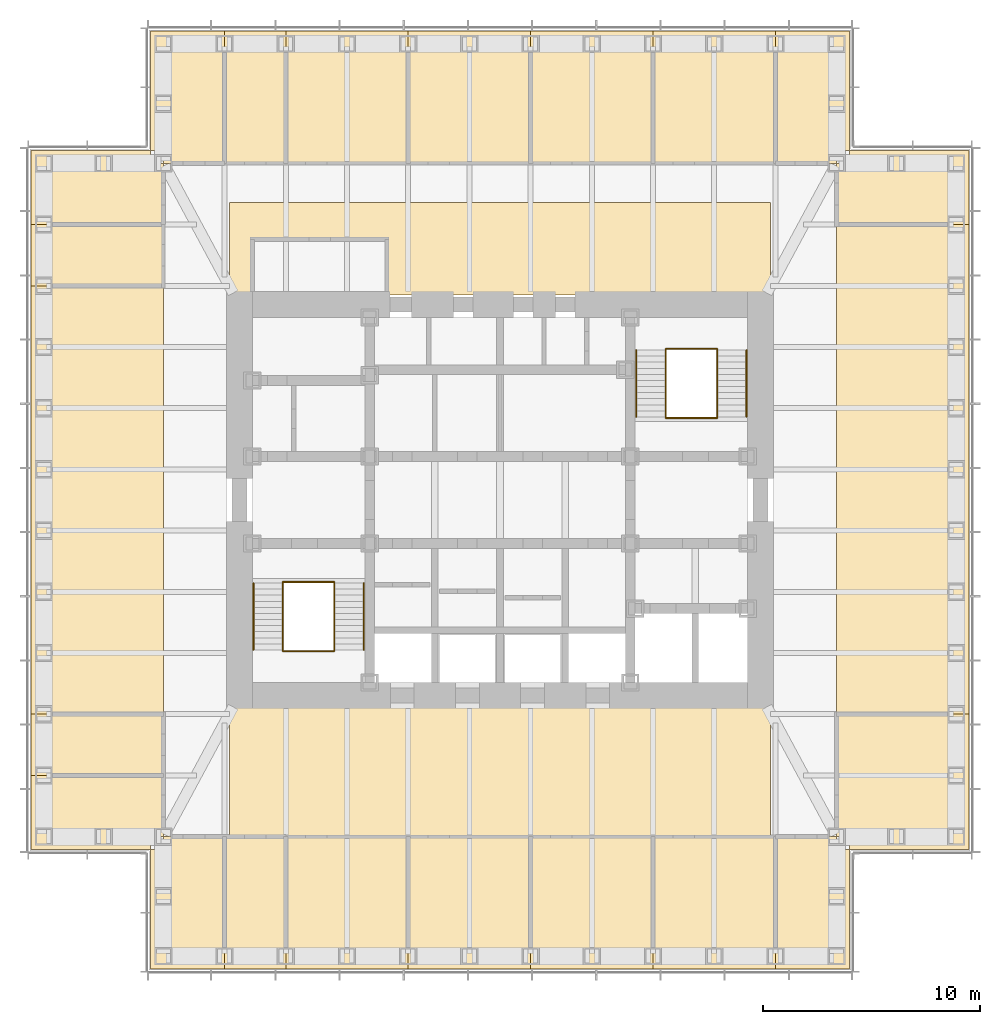
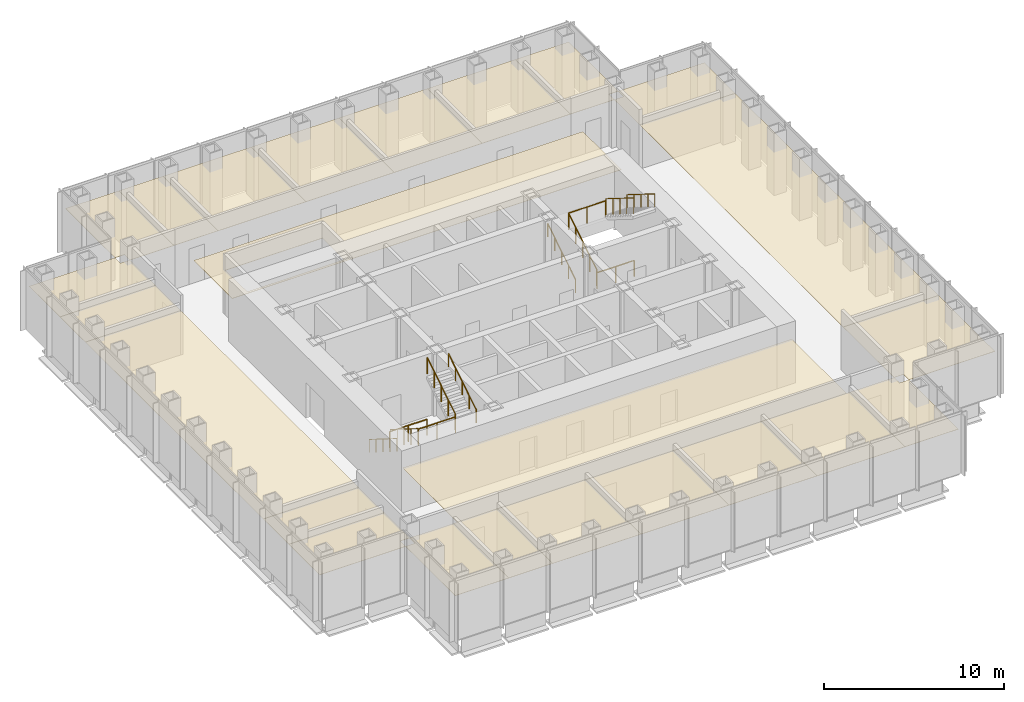
# One storey, part 17 of 17: 24 coverings, 12 railings.
"""IFC4 building model written with IfcOpenShell, lengths in metres."""

from ifc_helpers import new_model, si_unit, direction, frame, origin, origin_2d, place, context, subcontext, project, spatial, polyline, circle, outline, extrude, material, layer, layer_set, type_object, element, save


model = new_model("IFC4")

# Units and contexts
model_context = context("Model", 3, precision=1e-05, world=origin(), true_north=direction((0.0, 1.0)))
body_context = subcontext(model_context, "Body", "Model", "MODEL_VIEW")
ifc_project = project(units=[si_unit("LENGTHUNIT", "METRE"), si_unit("AREAUNIT", "SQUARE_METRE"), si_unit("VOLUMEUNIT", "CUBIC_METRE"), si_unit("PLANEANGLEUNIT", "RADIAN"), si_unit("MASSUNIT", "GRAM", prefix="KILO")], contexts=[model_context])

# Site, building, storey
site_placement = place(None, origin())
site = spatial("IfcSite", under=ifc_project, at=site_placement, CompositionType="ELEMENT")
building_placement = place(site_placement, origin())
building = spatial("IfcBuilding", under=site, at=building_placement, Name="Daluyong Arena Tower", CompositionType="ELEMENT")
storey_placement = place(building_placement, frame((0.0, 0.0, 223.300048828125)))
storey = spatial("IfcBuildingStorey", under=building, at=storey_placement, Name="L50", CompositionType="ELEMENT", Elevation=223.300048828125)

# Coverings
ifc_material_1 = material(Name="Mineral fibre ceiling tile", Category="gypsum board")
ifc_layer = layer(ifc_material_1, 0.02001953125)
ifc_layer_set = layer_set([ifc_layer], Name="Mineral fibre ceiling tile")
covering_type = type_object("IfcCoveringType", Name="Office ceiling", PredefinedType="CEILING", material=ifc_layer_set)
covering_1_placement = place(storey_placement, frame((0.0, 0.0, 2.89990234375)))
element("IfcCovering", 1, at=covering_1_placement, inside=storey, type_object=covering_type, Name="ceiling L50-01", PredefinedType="CEILING", context=body_context, shape_type="SweptSolid", body=[
    extrude(outline(polyline([(39.89990234375, 63.89990234375), (39.89990234375, 58.39990234375), (43.318115234375, 58.39990234375), (43.318115234375, 64.5), (40.5, 64.5), (40.5, 63.89990234375), (39.89990234375, 63.89990234375)])), origin(), (0.0, 0.0, 1.0), 0.02001953125),
])
covering_2_placement = place(storey_placement, frame((0.0, 0.0, 2.89990234375)))
element("IfcCovering", 2, at=covering_2_placement, inside=storey, type_object=covering_type, Name="ceiling L50-02", PredefinedType="CEILING", context=body_context, shape_type="SweptSolid", body=[
    extrude(outline(polyline([(43.318115234375, 64.5), (43.318115234375, 58.39990234375), (46.136474609375, 58.39990234375), (46.136474609375, 64.5), (43.318115234375, 64.5)])), origin(), (0.0, 0.0, 1.0), 0.02001953125),
])
covering_3_placement = place(storey_placement, frame((0.0, 0.0, 2.89990234375)))
element("IfcCovering", 3, at=covering_3_placement, inside=storey, type_object=covering_type, Name="ceiling L50-03", PredefinedType="CEILING", context=body_context, shape_type="SweptSolid", body=[
    extrude(outline(polyline([(46.136474609375, 64.5), (46.136474609375, 58.39990234375), (51.772705078125, 58.39990234375), (51.772705078125, 64.5), (46.136474609375, 64.5)])), origin(), (0.0, 0.0, 1.0), 0.02001953125),
])
covering_4_placement = place(storey_placement, frame((0.0, 0.0, 2.89990234375)))
element("IfcCovering", 4, at=covering_4_placement, inside=storey, type_object=covering_type, Name="ceiling L50-04", PredefinedType="CEILING", context=body_context, shape_type="SweptSolid", body=[
    extrude(outline(polyline([(51.772705078125, 64.5), (51.772705078125, 58.39990234375), (57.4091796875, 58.39990234375), (57.4091796875, 64.5), (51.772705078125, 64.5)])), origin(), (0.0, 0.0, 1.0), 0.02001953125),
])
covering_5_placement = place(storey_placement, frame((0.0, 0.0, 2.89990234375)))
element("IfcCovering", 5, at=covering_5_placement, inside=storey, type_object=covering_type, Name="ceiling L50-05", PredefinedType="CEILING", context=body_context, shape_type="SweptSolid", body=[
    extrude(outline(polyline([(57.4091796875, 64.5), (57.4091796875, 58.39990234375), (63.04541015625, 58.39990234375), (63.04541015625, 64.5), (57.4091796875, 64.5)])), origin(), (0.0, 0.0, 1.0), 0.02001953125),
])
covering_6_placement = place(storey_placement, frame((0.0, 0.0, 2.89990234375)))
element("IfcCovering", 6, at=covering_6_placement, inside=storey, type_object=covering_type, Name="ceiling L50-06", PredefinedType="CEILING", context=body_context, shape_type="SweptSolid", body=[
    extrude(outline(polyline([(63.04541015625, 64.5), (63.04541015625, 58.39990234375), (68.681884765625, 58.39990234375), (68.681884765625, 64.5), (63.04541015625, 64.5)])), origin(), (0.0, 0.0, 1.0), 0.02001953125),
])
covering_7_placement = place(storey_placement, frame((0.0, 0.0, 2.89990234375)))
element("IfcCovering", 7, at=covering_7_placement, inside=storey, type_object=covering_type, Name="ceiling L50-07", PredefinedType="CEILING", context=body_context, shape_type="SweptSolid", body=[
    extrude(outline(polyline([(72.10009765625, 58.39990234375), (72.10009765625, 63.89990234375), (71.5, 63.89990234375), (71.5, 64.5), (68.681884765625, 64.5), (68.681884765625, 58.39990234375), (72.10009765625, 58.39990234375)])), origin(), (0.0, 0.0, 1.0), 0.02001953125),
])
covering_8_placement = place(storey_placement, frame((0.0, 0.0, 2.89990234375)))
element("IfcCovering", 8, at=covering_8_placement, inside=storey, type_object=covering_type, Name="ceiling L50-08", PredefinedType="CEILING", context=body_context, shape_type="SweptSolid", body=[
    extrude(outline(polyline([(72.10009765625, 63.89990234375), (77.60009765625, 63.89990234375), (77.60009765625, 70.136474609375), (71.5, 70.136474609375), (71.5, 64.5), (72.10009765625, 64.5), (72.10009765625, 63.89990234375)])), origin(), (0.0, 0.0, 1.0), 0.02001953125),
])
covering_9_placement = place(storey_placement, frame((0.0, 0.0, 2.89990234375)))
element("IfcCovering", 9, at=covering_9_placement, inside=storey, type_object=covering_type, Name="ceiling L50-09", PredefinedType="CEILING", context=body_context, shape_type="SweptSolid", body=[
    extrude(outline(polyline([(71.5, 92.681884765625), (77.60009765625, 92.681884765625), (77.60009765625, 96.10009765625), (72.10009765625, 96.10009765625), (72.10009765625, 95.5), (71.5, 95.5), (71.5, 92.681884765625)])), origin(), (0.0, 0.0, 1.0), 0.02001953125),
])
covering_10_placement = place(storey_placement, frame((0.0, 0.0, 2.89990234375)))
element("IfcCovering", 10, at=covering_10_placement, inside=storey, type_object=covering_type, Name="ceiling L50-10", PredefinedType="CEILING", context=body_context, shape_type="SweptSolid", body=[
    extrude(outline(polyline([(43.318115234375, 95.5), (43.318115234375, 101.60009765625), (39.89990234375, 101.60009765625), (39.89990234375, 96.10009765625), (40.5, 96.10009765625), (40.5, 95.5), (43.318115234375, 95.5)])), origin(), (0.0, 0.0, 1.0), 0.02001953125),
])
covering_11_placement = place(storey_placement, frame((0.0, 0.0, 2.89990234375)))
element("IfcCovering", 11, at=covering_11_placement, inside=storey, type_object=covering_type, Name="ceiling L50-11", PredefinedType="CEILING", context=body_context, shape_type="SweptSolid", body=[
    extrude(outline(polyline([(46.136474609375, 95.5), (46.136474609375, 101.60009765625), (43.318115234375, 101.60009765625), (43.318115234375, 95.5), (46.136474609375, 95.5)])), origin(), (0.0, 0.0, 1.0), 0.02001953125),
])
covering_12_placement = place(storey_placement, frame((0.0, 0.0, 2.89990234375)))
element("IfcCovering", 12, at=covering_12_placement, inside=storey, type_object=covering_type, Name="ceiling L50-12", PredefinedType="CEILING", context=body_context, shape_type="SweptSolid", body=[
    extrude(outline(polyline([(51.772705078125, 95.5), (51.772705078125, 101.60009765625), (46.136474609375, 101.60009765625), (46.136474609375, 95.5), (51.772705078125, 95.5)])), origin(), (0.0, 0.0, 1.0), 0.02001953125),
])
covering_13_placement = place(storey_placement, frame((0.0, 0.0, 2.89990234375)))
element("IfcCovering", 13, at=covering_13_placement, inside=storey, type_object=covering_type, Name="ceiling L50-13", PredefinedType="CEILING", context=body_context, shape_type="SweptSolid", body=[
    extrude(outline(polyline([(57.4091796875, 95.5), (57.4091796875, 101.60009765625), (51.772705078125, 101.60009765625), (51.772705078125, 95.5), (57.4091796875, 95.5)])), origin(), (0.0, 0.0, 1.0), 0.02001953125),
])
covering_14_placement = place(storey_placement, frame((0.0, 0.0, 2.89990234375)))
element("IfcCovering", 14, at=covering_14_placement, inside=storey, type_object=covering_type, Name="ceiling L50-14", PredefinedType="CEILING", context=body_context, shape_type="SweptSolid", body=[
    extrude(outline(polyline([(63.04541015625, 95.5), (63.04541015625, 101.60009765625), (57.4091796875, 101.60009765625), (57.4091796875, 95.5), (63.04541015625, 95.5)])), origin(), (0.0, 0.0, 1.0), 0.02001953125),
])
covering_15_placement = place(storey_placement, frame((0.0, 0.0, 2.89990234375)))
element("IfcCovering", 15, at=covering_15_placement, inside=storey, type_object=covering_type, Name="ceiling L50-15", PredefinedType="CEILING", context=body_context, shape_type="SweptSolid", body=[
    extrude(outline(polyline([(68.681884765625, 95.5), (68.681884765625, 101.60009765625), (63.04541015625, 101.60009765625), (63.04541015625, 95.5), (68.681884765625, 95.5)])), origin(), (0.0, 0.0, 1.0), 0.02001953125),
])
covering_16_placement = place(storey_placement, frame((0.0, 0.0, 2.89990234375)))
element("IfcCovering", 16, at=covering_16_placement, inside=storey, type_object=covering_type, Name="ceiling L50-16", PredefinedType="CEILING", context=body_context, shape_type="SweptSolid", body=[
    extrude(outline(polyline([(68.681884765625, 95.5), (71.5, 95.5), (71.5, 96.10009765625), (72.10009765625, 96.10009765625), (72.10009765625, 101.60009765625), (68.681884765625, 101.60009765625), (68.681884765625, 95.5)])), origin(), (0.0, 0.0, 1.0), 0.02001953125),
])
covering_17_placement = place(storey_placement, frame((0.0, 0.0, 2.89990234375)))
element("IfcCovering", 17, at=covering_17_placement, inside=storey, type_object=covering_type, Name="ceiling L50-17", PredefinedType="CEILING", context=body_context, shape_type="SweptSolid", body=[
    extrude(outline(polyline([(34.39990234375, 63.89990234375), (39.89990234375, 63.89990234375), (39.89990234375, 64.5), (40.5, 64.5), (40.5, 67.318115234375), (34.39990234375, 67.318115234375), (34.39990234375, 63.89990234375)])), origin(), (0.0, 0.0, 1.0), 0.02001953125),
])
covering_18_placement = place(storey_placement, frame((0.0, 0.0, 2.89990234375)))
element("IfcCovering", 18, at=covering_18_placement, inside=storey, type_object=covering_type, Name="ceiling L50-18", PredefinedType="CEILING", context=body_context, shape_type="SweptSolid", body=[
    extrude(outline(polyline([(40.5, 70.136474609375), (34.39990234375, 70.136474609375), (34.39990234375, 67.318115234375), (40.5, 67.318115234375), (40.5, 70.136474609375)])), origin(), (0.0, 0.0, 1.0), 0.02001953125),
])
covering_19_placement = place(storey_placement, frame((0.0, 0.0, 2.89990234375)))
element("IfcCovering", 19, at=covering_19_placement, inside=storey, type_object=covering_type, Name="ceiling L50-19", PredefinedType="CEILING", context=body_context, shape_type="SweptSolid", body=[
    extrude(outline(polyline([(40.5, 92.681884765625), (34.39990234375, 92.681884765625), (34.39990234375, 89.863525390625), (40.5, 89.863525390625), (40.5, 92.681884765625)])), origin(), (0.0, 0.0, 1.0), 0.02001953125),
])
covering_20_placement = place(storey_placement, frame((0.0, 0.0, 2.89990234375)))
element("IfcCovering", 20, at=covering_20_placement, inside=storey, type_object=covering_type, Name="ceiling L50-20", PredefinedType="CEILING", context=body_context, shape_type="SweptSolid", body=[
    extrude(outline(polyline([(40.5, 92.681884765625), (40.5, 95.5), (39.89990234375, 95.5), (39.89990234375, 96.10009765625), (34.39990234375, 96.10009765625), (34.39990234375, 92.681884765625), (40.5, 92.681884765625)])), origin(), (0.0, 0.0, 1.0), 0.02001953125),
])
covering_21_placement = place(storey_placement, frame((0.0, 0.0, 2.89990234375)))
element("IfcCovering", 21, at=covering_21_placement, inside=storey, type_object=covering_type, Name="ceiling L50-25", PredefinedType="CEILING", context=body_context, shape_type="SweptSolid", body=[
    extrude(outline(polyline([(68.449951171875, 64.5), (68.449951171875, 70.550048828125), (43.550048828125, 70.550048828125), (43.550048828125, 64.5), (68.449951171875, 64.5)])), origin(), (0.0, 0.0, 1.0), 0.02001953125),
])
covering_22_placement = place(storey_placement, frame((0.0, 0.0, 2.89990234375)))
element("IfcCovering", 22, at=covering_22_placement, inside=storey, type_object=covering_type, Name="ceiling L50-26", PredefinedType="CEILING", context=body_context, shape_type="SweptSolid", body=[
    extrude(outline(polyline([(71.5, 70.136474609375), (77.60009765625, 70.136474609375), (77.60009765625, 92.681884765625), (71.5, 92.681884765625), (71.5, 70.136474609375)])), origin(), (0.0, 0.0, 1.0), 0.02001953125),
])
covering_23_placement = place(storey_placement, frame((0.0, 0.0, 2.89990234375)))
element("IfcCovering", 23, at=covering_23_placement, inside=storey, type_object=covering_type, Name="ceiling L50-27", PredefinedType="CEILING", context=body_context, shape_type="SweptSolid", body=[
    extrude(outline(polyline([(43.550048828125, 89.449951171875), (68.449951171875, 89.449951171875), (68.449951171875, 93.699951171875), (43.550048828125, 93.699951171875), (43.550048828125, 89.449951171875)]), holes=[polyline([(50.800048828125, 89.60009765625), (44.60009765625, 89.60009765625), (44.60009765625, 92.0), (50.800048828125, 92.0), (50.800048828125, 89.60009765625)])]), origin(), (0.0, 0.0, 1.0), 0.02001953125),
])
covering_24_placement = place(storey_placement, frame((0.0, 0.0, 2.89990234375)))
element("IfcCovering", 24, at=covering_24_placement, inside=storey, type_object=covering_type, Name="ceiling L50-28", PredefinedType="CEILING", context=body_context, shape_type="SweptSolid", body=[
    extrude(outline(polyline([(34.39990234375, 89.863525390625), (34.39990234375, 70.136474609375), (40.5, 70.136474609375), (40.5, 89.863525390625), (34.39990234375, 89.863525390625)])), origin(), (0.0, 0.0, 1.0), 0.02001953125),
])

# Railings
ifc_material_2 = material(Name="Stainless steel handrail", Category="steel")
railing_type_1 = type_object("IfcRailingType", Name="Stair handrail", PredefinedType="HANDRAIL", material=ifc_material_2)
railing_1_placement = place(storey_placement, frame((44.64990234375, 76.175048828125, 0.175048828125)))
element("IfcRailing", 25, at=railing_1_placement, inside=storey, type_object=railing_type_1, Name="exit stair A handrail L50", PredefinedType="HANDRAIL", context=body_context, shape_type="SweptSolid", body=[
    extrude(circle(Radius=0.02392578125, at=origin_2d()), frame((0.0, 0.0, 0.8759765625), z_axis=(0.0, -0.848028513186, 0.529950602248), x_axis=(1.0, 0.0, 0.0)), (0.0, 0.0, 1.0), 3.632080078125),
    extrude(circle(Radius=0.02099609375, at=origin_2d()), origin(), (0.0, 0.0, 1.0), 0.851806640625),
    extrude(circle(Radius=0.02099609375, at=origin_2d()), frame((0.0, -0.77001953125, 0.481201171875)), (0.0, 0.0, 1.0), 0.851806640625),
    extrude(circle(Radius=0.02099609375, at=origin_2d()), frame((0.0, -1.5400390625, 0.96240234375)), (0.0, 0.0, 1.0), 0.851806640625),
    extrude(circle(Radius=0.02099609375, at=origin_2d()), frame((0.0, -2.31005859375, 1.443603515625)), (0.0, 0.0, 1.0), 0.851806640625),
    extrude(circle(Radius=0.02099609375, at=origin_2d()), frame((0.0, -3.080078125, 1.9248046875)), (0.0, 0.0, 1.0), 0.851806640625),
])
railing_2_placement = place(storey_placement, frame((49.72509765625, 73.094970703125, 2.27490234375)))
element("IfcRailing", 26, at=railing_2_placement, inside=storey, type_object=railing_type_1, Name="exit stair A handrail L50", PredefinedType="HANDRAIL", context=body_context, shape_type="SweptSolid", body=[
    extrude(circle(Radius=0.02392578125, at=origin_2d()), frame((0.0, 0.0, 0.8759765625), z_axis=(0.0, 0.847998304005, 0.529998940003), x_axis=(-1.0, 0.0, 0.0)), (0.0, 0.0, 1.0), 3.632080078125),
    extrude(circle(Radius=0.02099609375, at=origin_2d()), origin(), (0.0, 0.0, 1.0), 0.851806640625),
    extrude(circle(Radius=0.02099609375, at=origin_2d()), frame((0.0, 0.77001953125, 0.481201171875)), (0.0, 0.0, 1.0), 0.851806640625),
    extrude(circle(Radius=0.02099609375, at=origin_2d()), frame((0.0, 1.5400390625, 0.96240234375)), (0.0, 0.0, 1.0), 0.851806640625),
    extrude(circle(Radius=0.02099609375, at=origin_2d()), frame((0.0, 2.31005859375, 1.44384765625)), (0.0, 0.0, 1.0), 0.851806640625),
    extrude(circle(Radius=0.02099609375, at=origin_2d()), frame((0.0, 3.080078125, 1.925048828125)), (0.0, 0.0, 1.0), 0.851806640625),
])
railing_3_placement = place(storey_placement, frame((62.27490234375, 83.824951171875, 0.175048828125)))
element("IfcRailing", 27, at=railing_3_placement, inside=storey, type_object=railing_type_1, Name="exit stair B handrail L50", PredefinedType="HANDRAIL", context=body_context, shape_type="SweptSolid", body=[
    extrude(circle(Radius=0.02392578125, at=origin_2d()), frame((0.0, 0.0, 0.8759765625), z_axis=(0.0, 0.848028513186, 0.529950602248), x_axis=(-1.0, 0.0, 0.0)), (0.0, 0.0, 1.0), 3.632080078125),
    extrude(circle(Radius=0.02099609375, at=origin_2d()), origin(), (0.0, 0.0, 1.0), 0.851806640625),
    extrude(circle(Radius=0.02099609375, at=origin_2d()), frame((0.0, 0.77001953125, 0.481201171875)), (0.0, 0.0, 1.0), 0.851806640625),
    extrude(circle(Radius=0.02099609375, at=origin_2d()), frame((0.0, 1.5400390625, 0.96240234375)), (0.0, 0.0, 1.0), 0.851806640625),
    extrude(circle(Radius=0.02099609375, at=origin_2d()), frame((0.0, 2.31005859375, 1.443603515625)), (0.0, 0.0, 1.0), 0.851806640625),
    extrude(circle(Radius=0.02099609375, at=origin_2d()), frame((0.0, 3.080078125, 1.9248046875)), (0.0, 0.0, 1.0), 0.851806640625),
])
railing_4_placement = place(storey_placement, frame((67.35009765625, 86.905029296875, 2.27490234375)))
element("IfcRailing", 28, at=railing_4_placement, inside=storey, type_object=railing_type_1, Name="exit stair B handrail L50", PredefinedType="HANDRAIL", context=body_context, shape_type="SweptSolid", body=[
    extrude(circle(Radius=0.02392578125, at=origin_2d()), frame((0.0, 0.0, 0.8759765625), z_axis=(0.0, -0.847998304005, 0.529998940003), x_axis=(1.0, 0.0, 0.0)), (0.0, 0.0, 1.0), 3.632080078125),
    extrude(circle(Radius=0.02099609375, at=origin_2d()), origin(), (0.0, 0.0, 1.0), 0.851806640625),
    extrude(circle(Radius=0.02099609375, at=origin_2d()), frame((0.0, -0.77001953125, 0.481201171875)), (0.0, 0.0, 1.0), 0.851806640625),
    extrude(circle(Radius=0.02099609375, at=origin_2d()), frame((0.0, -1.5400390625, 0.96240234375)), (0.0, 0.0, 1.0), 0.851806640625),
    extrude(circle(Radius=0.02099609375, at=origin_2d()), frame((0.0, -2.31005859375, 1.44384765625)), (0.0, 0.0, 1.0), 0.851806640625),
    extrude(circle(Radius=0.02099609375, at=origin_2d()), frame((0.0, -3.080078125, 1.925048828125)), (0.0, 0.0, 1.0), 0.851806640625),
])
ifc_material_3 = material(Name="Steel balustrade", Category="steel")
railing_type_2 = type_object("IfcRailingType", Name="Stair well guard 1100", PredefinedType="GUARDRAIL", material=ifc_material_3)
railing_5_placement = place(storey_placement, frame((46.0, 76.175048828125, 0.175048828125)))
element("IfcRailing", 29, at=railing_5_placement, inside=storey, type_object=railing_type_2, Name="exit stair A well guard L50", PredefinedType="GUARDRAIL", context=body_context, shape_type="SweptSolid", body=[
    extrude(circle(Radius=0.02392578125, at=origin_2d()), frame((0.0, 0.0, 1.076171875), z_axis=(0.0, -0.848028513186, 0.529950602248), x_axis=(1.0, 0.0, 0.0)), (0.0, 0.0, 1.0), 3.632080078125),
    extrude(circle(Radius=0.02099609375, at=origin_2d()), origin(), (0.0, 0.0, 1.0), 1.052001953125),
    extrude(circle(Radius=0.02099609375, at=origin_2d()), frame((0.0, -0.77001953125, 0.481201171875)), (0.0, 0.0, 1.0), 1.052001953125),
    extrude(circle(Radius=0.02099609375, at=origin_2d()), frame((0.0, -1.5400390625, 0.96240234375)), (0.0, 0.0, 1.0), 1.052001953125),
    extrude(circle(Radius=0.02099609375, at=origin_2d()), frame((0.0, -2.31005859375, 1.443603515625)), (0.0, 0.0, 1.0), 1.052001953125),
    extrude(circle(Radius=0.02099609375, at=origin_2d()), frame((0.0, -3.080078125, 1.9248046875)), (0.0, 0.0, 1.0), 1.052001953125),
])
railing_6_placement = place(storey_placement, frame((48.375, 73.094970703125, 2.27490234375)))
element("IfcRailing", 30, at=railing_6_placement, inside=storey, type_object=railing_type_2, Name="exit stair A well guard L50", PredefinedType="GUARDRAIL", context=body_context, shape_type="SweptSolid", body=[
    extrude(circle(Radius=0.02392578125, at=origin_2d()), frame((0.0, 0.0, 1.076171875), z_axis=(0.0, 0.847998304005, 0.529998940003), x_axis=(-1.0, 0.0, 0.0)), (0.0, 0.0, 1.0), 3.632080078125),
    extrude(circle(Radius=0.02099609375, at=origin_2d()), origin(), (0.0, 0.0, 1.0), 1.052001953125),
    extrude(circle(Radius=0.02099609375, at=origin_2d()), frame((0.0, 0.77001953125, 0.481201171875)), (0.0, 0.0, 1.0), 1.052001953125),
    extrude(circle(Radius=0.02099609375, at=origin_2d()), frame((0.0, 1.5400390625, 0.96240234375)), (0.0, 0.0, 1.0), 1.052001953125),
    extrude(circle(Radius=0.02099609375, at=origin_2d()), frame((0.0, 2.31005859375, 1.44384765625)), (0.0, 0.0, 1.0), 1.052001953125),
    extrude(circle(Radius=0.02099609375, at=origin_2d()), frame((0.0, 3.080078125, 1.925048828125)), (0.0, 0.0, 1.0), 1.052001953125),
])
for number, where, name in (
    (31, (46.0, 73.044921875, 2.099853515625), "exit stair A landing guard L50"),
    (32, (46.0, 76.22509765625, 0.0), "exit stair A floor landing guard L50"),
):
    element("IfcRailing", number, at=place(storey_placement, frame(where)), inside=storey, type_object=railing_type_2, Name=name, PredefinedType="GUARDRAIL", context=body_context, shape_type="SweptSolid", body=[
        extrude(circle(Radius=0.02392578125, at=origin_2d()), frame((0.0, 0.0, 1.076171875), z_axis=(1.0, 0.0, 0.0), x_axis=(0.0, 1.0, 0.0)), (0.0, 0.0, 1.0), 2.375),
        extrude(circle(Radius=0.02099609375, at=origin_2d()), origin(), (0.0, 0.0, 1.0), 1.052001953125),
        extrude(circle(Radius=0.02099609375, at=origin_2d()), frame((1.1875, 0.0, 0.0)), (0.0, 0.0, 1.0), 1.052001953125),
        extrude(circle(Radius=0.02099609375, at=origin_2d()), frame((2.375, 0.0, 0.0)), (0.0, 0.0, 1.0), 1.052001953125),
    ])
railing_7_placement = place(storey_placement, frame((63.625, 83.824951171875, 0.175048828125)))
element("IfcRailing", 33, at=railing_7_placement, inside=storey, type_object=railing_type_2, Name="exit stair B well guard L50", PredefinedType="GUARDRAIL", context=body_context, shape_type="SweptSolid", body=[
    extrude(circle(Radius=0.02392578125, at=origin_2d()), frame((0.0, 0.0, 1.076171875), z_axis=(0.0, 0.848028513186, 0.529950602248), x_axis=(-1.0, 0.0, 0.0)), (0.0, 0.0, 1.0), 3.632080078125),
    extrude(circle(Radius=0.02099609375, at=origin_2d()), origin(), (0.0, 0.0, 1.0), 1.052001953125),
    extrude(circle(Radius=0.02099609375, at=origin_2d()), frame((0.0, 0.77001953125, 0.481201171875)), (0.0, 0.0, 1.0), 1.052001953125),
    extrude(circle(Radius=0.02099609375, at=origin_2d()), frame((0.0, 1.5400390625, 0.96240234375)), (0.0, 0.0, 1.0), 1.052001953125),
    extrude(circle(Radius=0.02099609375, at=origin_2d()), frame((0.0, 2.31005859375, 1.443603515625)), (0.0, 0.0, 1.0), 1.052001953125),
    extrude(circle(Radius=0.02099609375, at=origin_2d()), frame((0.0, 3.080078125, 1.9248046875)), (0.0, 0.0, 1.0), 1.052001953125),
])
railing_8_placement = place(storey_placement, frame((66.0, 86.905029296875, 2.27490234375)))
element("IfcRailing", 34, at=railing_8_placement, inside=storey, type_object=railing_type_2, Name="exit stair B well guard L50", PredefinedType="GUARDRAIL", context=body_context, shape_type="SweptSolid", body=[
    extrude(circle(Radius=0.02392578125, at=origin_2d()), frame((0.0, 0.0, 1.076171875), z_axis=(0.0, -0.847998304005, 0.529998940003), x_axis=(1.0, 0.0, 0.0)), (0.0, 0.0, 1.0), 3.632080078125),
    extrude(circle(Radius=0.02099609375, at=origin_2d()), origin(), (0.0, 0.0, 1.0), 1.052001953125),
    extrude(circle(Radius=0.02099609375, at=origin_2d()), frame((0.0, -0.77001953125, 0.481201171875)), (0.0, 0.0, 1.0), 1.052001953125),
    extrude(circle(Radius=0.02099609375, at=origin_2d()), frame((0.0, -1.5400390625, 0.96240234375)), (0.0, 0.0, 1.0), 1.052001953125),
    extrude(circle(Radius=0.02099609375, at=origin_2d()), frame((0.0, -2.31005859375, 1.44384765625)), (0.0, 0.0, 1.0), 1.052001953125),
    extrude(circle(Radius=0.02099609375, at=origin_2d()), frame((0.0, -3.080078125, 1.925048828125)), (0.0, 0.0, 1.0), 1.052001953125),
])
for number, where, name in (
    (35, (63.625, 86.955078125, 2.099853515625), "exit stair B landing guard L50"),
    (36, (63.625, 83.77490234375, 0.0), "exit stair B floor landing guard L50"),
):
    element("IfcRailing", number, at=place(storey_placement, frame(where)), inside=storey, type_object=railing_type_2, Name=name, PredefinedType="GUARDRAIL", context=body_context, shape_type="SweptSolid", body=[
        extrude(circle(Radius=0.02392578125, at=origin_2d()), frame((0.0, 0.0, 1.076171875), z_axis=(1.0, 0.0, 0.0), x_axis=(0.0, 1.0, 0.0)), (0.0, 0.0, 1.0), 2.375),
        extrude(circle(Radius=0.02099609375, at=origin_2d()), origin(), (0.0, 0.0, 1.0), 1.052001953125),
        extrude(circle(Radius=0.02099609375, at=origin_2d()), frame((1.1875, 0.0, 0.0)), (0.0, 0.0, 1.0), 1.052001953125),
        extrude(circle(Radius=0.02099609375, at=origin_2d()), frame((2.375, 0.0, 0.0)), (0.0, 0.0, 1.0), 1.052001953125),
    ])

save(model, "model.ifc")
